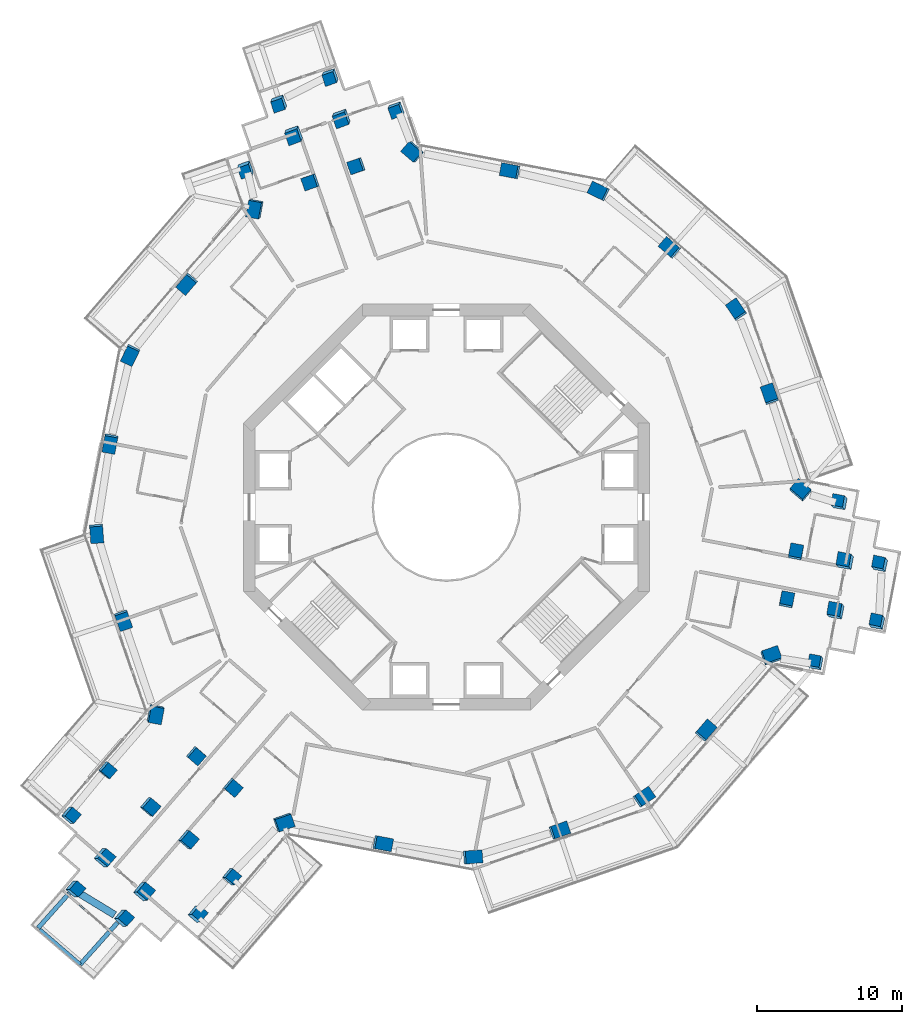
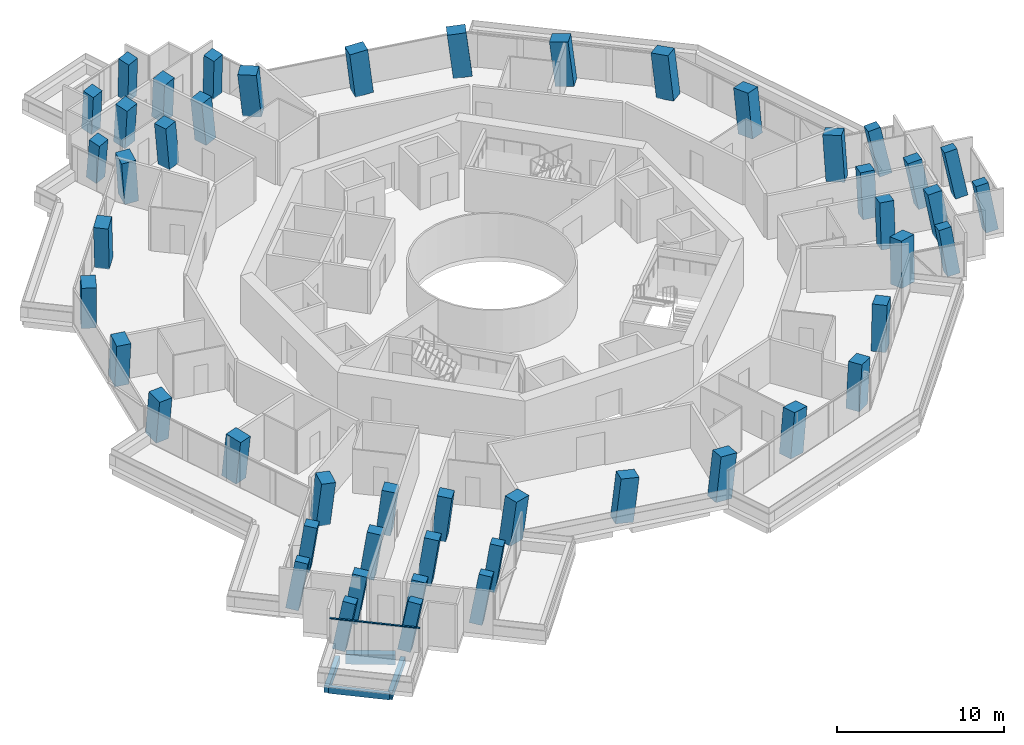
# One storey, part 1 of 23: 49 columns, 4 beams, 1 member, 1 element without a shape of its own.
"""IFC4 building model written with IfcOpenShell, lengths in metres."""

from ifc_helpers import new_model, si_unit, direction, frame, origin, origin_2d, place, context, subcontext, project, spatial, rectangle, extrude, material, layer, layer_set, material_profile, profile_set, type_object, element, aggregate, save


model = new_model("IFC4")

# Units and contexts
model_context = context("Model", 3, precision=1e-05, world=origin(), true_north=direction((0.0, 1.0)))
body_context = subcontext(model_context, "Body", "Model", "MODEL_VIEW")
ifc_project = project(units=[si_unit("LENGTHUNIT", "METRE"), si_unit("AREAUNIT", "SQUARE_METRE"), si_unit("VOLUMEUNIT", "CUBIC_METRE"), si_unit("PLANEANGLEUNIT", "RADIAN"), si_unit("MASSUNIT", "GRAM", prefix="KILO")], contexts=[model_context])

# Site, building, storey
site_placement = place(None, origin())
site = spatial("IfcSite", under=ifc_project, at=site_placement, CompositionType="ELEMENT")
building_placement = place(site_placement, origin())
building = spatial("IfcBuilding", under=site, at=building_placement, Name="Verdalira Terraces Hotel", CompositionType="ELEMENT")
storey_placement = place(building_placement, frame((0.0, 0.0, 111.5)))
storey = spatial("IfcBuildingStorey", under=building, at=storey_placement, Name="L26", CompositionType="ELEMENT", Elevation=111.5)

# Columns
ifc_material_1 = material(Name="Concrete C80", Category="concrete")
ifc_material_profile_1 = material_profile(ifc_material_1, rectangle(XDim=1.149902, YDim=0.899902, at=origin_2d()), Name="RC 1150X900")
ifc_profile_set_1 = profile_set([ifc_material_profile_1], Name="Concrete C80")
column_type_1 = type_object("IfcColumnType", Name="Column RC 1150X900 C80", PredefinedType="COLUMN", material=ifc_profile_set_1)
column_1_placement = place(storey_placement, frame((-13.186035, 20.593994, 0.0), z_axis=(-0.097375682, -0.063548845, 0.993216754), x_axis=(0.179806408, 0.98041432, 0.080358058)))
element("IfcColumn", 1, at=column_1_placement, inside=storey, type_object=column_type_1, Name="Column C03", PredefinedType="COLUMN", context=body_context, shape_type="SweptSolid", body=[
    extrude(rectangle(XDim=1.149902, YDim=0.899902, at=origin_2d()), origin(), (0.0, 0.0, 1.0), 3.21167),
])
column_2_placement = place(storey_placement, frame((-17.871338, 15.42627, 0.0), z_axis=(-0.072703894, -0.085632411, 0.993670586), x_axis=(-0.649524072, -0.751997746, -0.112329288)))
element("IfcColumn", 2, at=column_2_placement, inside=storey, type_object=column_type_1, Name="Column C04", PredefinedType="COLUMN", context=body_context, shape_type="SweptSolid", body=[
    extrude(rectangle(XDim=1.149902, YDim=0.899902, at=origin_2d()), origin(), (0.0, 0.0, 1.0), 3.210205),
])
column_3_placement = place(storey_placement, frame((-21.781006, 10.529297, 0.0), z_axis=(-0.049265254, -0.103928397, 0.993363893), x_axis=(0.433104905, 0.893975897, 0.115009722)))
element("IfcColumn", 3, at=column_3_placement, inside=storey, type_object=column_type_1, Name="Column C05", PredefinedType="COLUMN", context=body_context, shape_type="SweptSolid", body=[
    extrude(rectangle(XDim=1.149902, YDim=0.899902, at=origin_2d()), origin(), (0.0, 0.0, 1.0), 3.211182),
])
column_4_placement = place(storey_placement, frame((-23.190186, 4.423828, 0.0), z_axis=(-0.020077279, -0.110501083, 0.993673193), x_axis=(-0.185924691, -0.976124643, -0.112306232)))
element("IfcColumn", 4, at=column_4_placement, inside=storey, type_object=column_type_1, Name="Column C06", PredefinedType="COLUMN", context=body_context, shape_type="SweptSolid", body=[
    extrude(rectangle(XDim=1.149902, YDim=0.899902, at=origin_2d()), origin(), (0.0, 0.0, 1.0), 3.210205),
])
column_5_placement = place(storey_placement, frame((-24.127686, -1.771729, 0.0), z_axis=(0.009351259, -0.114647953, 0.99336217), x_axis=(-0.072347102, 0.990724603, 0.115024598)))
element("IfcColumn", 5, at=column_5_placement, inside=storey, type_object=column_type_1, Name="Column C07", PredefinedType="COLUMN", context=body_context, shape_type="SweptSolid", body=[
    extrude(rectangle(XDim=1.149902, YDim=0.899902, at=origin_2d()), origin(), (0.0, 0.0, 1.0), 3.211182),
])
column_6_placement = place(storey_placement, frame((-22.295166, -7.763916, 0.0), z_axis=(0.037872832, -0.105785359, 0.993667503), x_axis=(0.326980648, -0.938328119, -0.112356557)))
element("IfcColumn", 6, at=column_6_placement, inside=storey, type_object=column_type_1, Name="Column C08", PredefinedType="COLUMN", context=body_context, shape_type="SweptSolid", body=[
    extrude(rectangle(XDim=1.149902, YDim=0.899902, at=origin_2d()), origin(), (0.0, 0.0, 1.0), 3.210205),
])
column_7_placement = place(storey_placement, frame((-20.09082, -14.246094, 0.0), z_axis=(0.068559174, -0.094933934, 0.993119926), x_axis=(0.193242072, 0.977873048, 0.080136162)))
element("IfcColumn", 7, at=column_7_placement, inside=storey, type_object=column_type_1, Name="Column C09", PredefinedType="COLUMN", context=body_context, shape_type="SweptSolid", body=[
    extrude(rectangle(XDim=1.149902, YDim=0.899902, at=origin_2d()), origin(), (0.0, 0.0, 1.0), 3.212158),
])
column_8_placement = place(storey_placement, frame((-11.241699, -21.716553, 0.0), z_axis=(0.103685106, -0.052602708, 0.99321818), x_axis=(-0.939138052, -0.334011459, 0.080349638)))
element("IfcColumn", 8, at=column_8_placement, inside=storey, type_object=column_type_1, Name="Column C16", PredefinedType="COLUMN", context=body_context, shape_type="SweptSolid", body=[
    extrude(rectangle(XDim=1.149902, YDim=0.899902, at=origin_2d()), origin(), (0.0, 0.0, 1.0), 3.21167),
])
column_9_placement = place(storey_placement, frame((-4.423828, -23.190186, 0.0), z_axis=(0.110501083, -0.020077279, 0.993673193), x_axis=(0.976124643, -0.185924691, -0.112306232)))
element("IfcColumn", 9, at=column_9_placement, inside=storey, type_object=column_type_1, Name="Column C17", PredefinedType="COLUMN", context=body_context, shape_type="SweptSolid", body=[
    extrude(rectangle(XDim=1.149902, YDim=0.899902, at=origin_2d()), origin(), (0.0, 0.0, 1.0), 3.210205),
])
column_10_placement = place(storey_placement, frame((1.771729, -24.127686, 0.0), z_axis=(0.114647953, 0.009351259, 0.99336217), x_axis=(-0.990724603, -0.072347102, 0.115024598)))
element("IfcColumn", 10, at=column_10_placement, inside=storey, type_object=column_type_1, Name="Column C18", PredefinedType="COLUMN", context=body_context, shape_type="SweptSolid", body=[
    extrude(rectangle(XDim=1.149902, YDim=0.899902, at=origin_2d()), origin(), (0.0, 0.0, 1.0), 3.211182),
])
column_11_placement = place(storey_placement, frame((7.763916, -22.295166, 0.0), z_axis=(0.105785359, 0.037872832, 0.993667503), x_axis=(0.938328119, 0.326980648, -0.112356557)))
element("IfcColumn", 11, at=column_11_placement, inside=storey, type_object=column_type_1, Name="Column C19", PredefinedType="COLUMN", context=body_context, shape_type="SweptSolid", body=[
    extrude(rectangle(XDim=1.149902, YDim=0.899902, at=origin_2d()), origin(), (0.0, 0.0, 1.0), 3.210205),
])
column_12_placement = place(storey_placement, frame((13.598389, -20.009277, 0.0), z_axis=(0.09457705, 0.065458875, 0.993363135), x_axis=(-0.821576739, -0.558375251, 0.115016268)))
element("IfcColumn", 12, at=column_12_placement, inside=storey, type_object=column_type_1, Name="Column C20", PredefinedType="COLUMN", context=body_context, shape_type="SweptSolid", body=[
    extrude(rectangle(XDim=1.149902, YDim=0.899902, at=origin_2d()), origin(), (0.0, 0.0, 1.0), 3.211182),
])
column_13_placement = place(storey_placement, frame((17.871338, -15.42627, 0.0), z_axis=(0.072703894, 0.085632411, 0.993670586), x_axis=(0.649524072, 0.751997746, -0.112329288)))
element("IfcColumn", 13, at=column_13_placement, inside=storey, type_object=column_type_1, Name="Column C21", PredefinedType="COLUMN", context=body_context, shape_type="SweptSolid", body=[
    extrude(rectangle(XDim=1.149902, YDim=0.899902, at=origin_2d()), origin(), (0.0, 0.0, 1.0), 3.210205),
])
column_14_placement = place(storey_placement, frame((22.382812, -10.276123, 0.0), z_axis=(0.047961216, 0.106791613, 0.993123997), x_axis=(-0.943604667, -0.32123545, 0.080112533)))
element("IfcColumn", 14, at=column_14_placement, inside=storey, type_object=column_type_1, Name="Column C22", PredefinedType="COLUMN", context=body_context, shape_type="SweptSolid", body=[
    extrude(rectangle(XDim=1.149902, YDim=0.899902, at=origin_2d()), origin(), (0.0, 0.0, 1.0), 3.211914),
])
column_15_placement = place(storey_placement, frame((24.427979, 1.122559, 0.0), z_axis=(-0.006309298, 0.116075877, 0.99322031), x_axis=(0.758959618, -0.646162715, 0.080337067)))
element("IfcColumn", 15, at=column_15_placement, inside=storey, type_object=column_type_1, Name="Column C27", PredefinedType="COLUMN", context=body_context, shape_type="SweptSolid", body=[
    extrude(rectangle(XDim=1.149902, YDim=0.899902, at=origin_2d()), origin(), (0.0, 0.0, 1.0), 3.21167),
])
column_16_placement = place(storey_placement, frame((22.295166, 7.763916, 0.0), z_axis=(-0.037872832, 0.105785359, 0.993667503), x_axis=(-0.326980648, 0.938328119, -0.112356557)))
element("IfcColumn", 16, at=column_16_placement, inside=storey, type_object=column_type_1, Name="Column C28", PredefinedType="COLUMN", context=body_context, shape_type="SweptSolid", body=[
    extrude(rectangle(XDim=1.149902, YDim=0.899902, at=origin_2d()), origin(), (0.0, 0.0, 1.0), 3.210205),
])
column_17_placement = place(storey_placement, frame((20.009277, 13.598389, 0.0), z_axis=(-0.065458875, 0.09457705, 0.993363135), x_axis=(0.558375251, -0.821576739, 0.115016268)))
element("IfcColumn", 17, at=column_17_placement, inside=storey, type_object=column_type_1, Name="Column C29", PredefinedType="COLUMN", context=body_context, shape_type="SweptSolid", body=[
    extrude(rectangle(XDim=1.149902, YDim=0.899902, at=origin_2d()), origin(), (0.0, 0.0, 1.0), 3.211182),
])
column_18_placement = place(storey_placement, frame((15.42627, 17.871338, 0.0), z_axis=(-0.085632411, 0.072703894, 0.993670586), x_axis=(-0.751997746, 0.649524072, -0.112329288)))
element("IfcColumn", 18, at=column_18_placement, inside=storey, type_object=column_type_1, Name="Column C30", PredefinedType="COLUMN", context=body_context, shape_type="SweptSolid", body=[
    extrude(rectangle(XDim=1.149902, YDim=0.899902, at=origin_2d()), origin(), (0.0, 0.0, 1.0), 3.210205),
])
column_19_placement = place(storey_placement, frame((10.529297, 21.781006, 0.0), z_axis=(-0.103928397, 0.049265254, 0.993363893), x_axis=(0.893975897, -0.433104905, 0.115009722)))
element("IfcColumn", 19, at=column_19_placement, inside=storey, type_object=column_type_1, Name="Column C31", PredefinedType="COLUMN", context=body_context, shape_type="SweptSolid", body=[
    extrude(rectangle(XDim=1.149902, YDim=0.899902, at=origin_2d()), origin(), (0.0, 0.0, 1.0), 3.211182),
])
column_20_placement = place(storey_placement, frame((4.423828, 23.190186, 0.0), z_axis=(-0.110501083, 0.020077279, 0.993673193), x_axis=(-0.976124643, 0.185924691, -0.112306232)))
element("IfcColumn", 20, at=column_20_placement, inside=storey, type_object=column_type_1, Name="Column C32", PredefinedType="COLUMN", context=body_context, shape_type="SweptSolid", body=[
    extrude(rectangle(XDim=1.149902, YDim=0.899902, at=origin_2d()), origin(), (0.0, 0.0, 1.0), 3.210205),
])
column_21_placement = place(storey_placement, frame((-2.291992, 24.522217, 0.0), z_axis=(-0.116519812, -0.01193321, 0.993116676), x_axis=(0.750371365, -0.656138694, 0.080155023)))
element("IfcColumn", 21, at=column_21_placement, inside=storey, type_object=column_type_1, Name="Column C33", PredefinedType="COLUMN", context=body_context, shape_type="SweptSolid", body=[
    extrude(rectangle(XDim=1.149902, YDim=0.899902, at=origin_2d()), origin(), (0.0, 0.0, 1.0), 3.212158),
])
ifc_material_2 = material(Name="Concrete C80", Category="concrete")
ifc_material_profile_2 = material_profile(ifc_material_2, rectangle(XDim=0.800049, YDim=0.800049, at=origin_2d()), Name="RC 800X800")
ifc_profile_set_2 = profile_set([ifc_material_profile_2], Name="Concrete C80")
column_type_2 = type_object("IfcColumnType", Name="Column RC 800X800 C80", PredefinedType="COLUMN", material=ifc_profile_set_2)
column_22_placement = place(storey_placement, frame((-3.431641, 27.460205, 0.0), z_axis=(-0.075511583, -0.16329474, 0.983683297), x_axis=(-0.341654715, 0.931023333, 0.128326185)))
element("IfcColumn", 22, at=column_22_placement, inside=storey, type_object=column_type_2, Name="Column C01", PredefinedType="COLUMN", context=body_context, shape_type="SweptSolid", body=[
    extrude(rectangle(XDim=0.800049, YDim=0.800049, at=origin_2d()), origin(), (0.0, 0.0, 1.0), 3.24292),
])
column_23_placement = place(storey_placement, frame((-13.832764, 23.393311, 0.0), z_axis=(-0.055576676, -0.210429429, 0.976028016), x_axis=(0.344400072, -0.921584845, -0.179080886)))
element("IfcColumn", 23, at=column_23_placement, inside=storey, type_object=column_type_2, Name="Column C02", PredefinedType="COLUMN", context=body_context, shape_type="SweptSolid", body=[
    extrude(rectangle(XDim=0.800049, YDim=0.800049, at=origin_2d()), origin(), (0.0, 0.0, 1.0), 3.268311),
])
column_24_placement = place(storey_placement, frame((-23.425049, -18.108887, 0.0), z_axis=(0.136821775, -0.050125077, 0.989326679), x_axis=(-0.647146917, -0.760660235, 0.050959544)))
element("IfcColumn", 24, at=column_24_placement, inside=storey, type_object=column_type_2, Name="Column C10", PredefinedType="COLUMN", context=body_context, shape_type="SweptSolid", body=[
    extrude(rectangle(XDim=0.800049, YDim=0.800049, at=origin_2d()), origin(), (0.0, 0.0, 1.0), 3.224365),
])
column_25_placement = place(storey_placement, frame((-25.98584, -21.243896, 0.0), z_axis=(0.199921403, -0.00202471, 0.979809845), x_axis=(-0.632821531, -0.763720889, 0.127543375)))
element("IfcColumn", 25, at=column_25_placement, inside=storey, type_object=column_type_2, Name="Column C11", PredefinedType="COLUMN", context=body_context, shape_type="SweptSolid", body=[
    extrude(rectangle(XDim=0.800049, YDim=0.800049, at=origin_2d()), origin(), (0.0, 0.0, 1.0), 3.255615),
])
column_26_placement = place(storey_placement, frame((-25.697754, -26.327637, 0.0), z_axis=(0.222717395, -0.000522285, 0.97488291), x_axis=(0.729780822, -0.662951744, -0.167077638)))
element("IfcColumn", 26, at=column_26_placement, inside=storey, type_object=column_type_2, Name="Column C12", PredefinedType="COLUMN", context=body_context, shape_type="SweptSolid", body=[
    extrude(rectangle(XDim=0.800049, YDim=0.800049, at=origin_2d()), origin(), (0.0, 0.0, 1.0), 3.272217),
])
column_27_placement = place(storey_placement, frame((-22.358398, -28.351318, 0.0), z_axis=(0.231385799, 0.015187485, 0.972743518), x_axis=(0.728932644, -0.664894768, -0.163009653)))
element("IfcColumn", 27, at=column_27_placement, inside=storey, type_object=column_type_2, Name="Column C13", PredefinedType="COLUMN", context=body_context, shape_type="SweptSolid", body=[
    extrude(rectangle(XDim=0.800049, YDim=0.800049, at=origin_2d()), origin(), (0.0, 0.0, 1.0), 3.279297),
])
column_28_placement = place(storey_placement, frame((-17.273682, -28.077148, 0.0), z_axis=(0.22989988, 0.038775603, 0.972441514), x_axis=(0.622286959, 0.762395071, -0.177518158)))
element("IfcColumn", 28, at=column_28_placement, inside=storey, type_object=column_type_2, Name="Column C14", PredefinedType="COLUMN", context=body_context, shape_type="SweptSolid", body=[
    extrude(rectangle(XDim=0.800049, YDim=0.800049, at=origin_2d()), origin(), (0.0, 0.0, 1.0), 3.280273),
])
column_29_placement = place(storey_placement, frame((-14.88623, -25.479492, 0.0), z_axis=(0.170722643, -0.009350533, 0.985274757), x_axis=(0.638981154, 0.762229566, -0.103485142)))
element("IfcColumn", 29, at=column_29_placement, inside=storey, type_object=column_type_2, Name="Column C15", PredefinedType="COLUMN", context=body_context, shape_type="SweptSolid", body=[
    extrude(rectangle(XDim=0.800049, YDim=0.800049, at=origin_2d()), origin(), (0.0, 0.0, 1.0), 3.237549),
])
column_30_placement = place(storey_placement, frame((25.49707, -10.758301, 0.0), z_axis=(-0.103667365, 0.147106777, 0.983673052), x_axis=(0.977082423, -0.1698001, 0.128366133)))
element("IfcColumn", 30, at=column_30_placement, inside=storey, type_object=column_type_2, Name="Column C23", PredefinedType="COLUMN", context=body_context, shape_type="SweptSolid", body=[
    extrude(rectangle(XDim=0.800049, YDim=0.800049, at=origin_2d()), origin(), (0.0, 0.0, 1.0), 3.24292),
])
column_31_placement = place(storey_placement, frame((29.755615, -7.966797, 0.0), z_axis=(-0.116457849, 0.166293415, 0.979175198), x_axis=(0.205922806, 0.968503327, -0.139989656)))
element("IfcColumn", 31, at=column_31_placement, inside=storey, type_object=column_type_2, Name="Column C24", PredefinedType="COLUMN", context=body_context, shape_type="SweptSolid", body=[
    extrude(rectangle(XDim=0.800049, YDim=0.800049, at=origin_2d()), origin(), (0.0, 0.0, 1.0), 3.257812),
])
column_32_placement = place(storey_placement, frame((29.955322, -3.983643, 0.0), z_axis=(-0.134711888, 0.166633074, 0.976773324), x_axis=(0.208280483, 0.968497811, -0.136496264)))
element("IfcColumn", 32, at=column_32_placement, inside=storey, type_object=column_type_2, Name="Column C25", PredefinedType="COLUMN", context=body_context, shape_type="SweptSolid", body=[
    extrude(rectangle(XDim=0.800049, YDim=0.800049, at=origin_2d()), origin(), (0.0, 0.0, 1.0), 3.265869),
])
column_33_placement = place(storey_placement, frame((27.175537, 0.282715, 0.0), z_axis=(-0.154478217, 0.153357727, 0.976021459), x_axis=(-0.970321056, 0.162475904, -0.17910508)))
element("IfcColumn", 33, at=column_33_placement, inside=storey, type_object=column_type_2, Name="Column C26", PredefinedType="COLUMN", context=body_context, shape_type="SweptSolid", body=[
    extrude(rectangle(XDim=0.800049, YDim=0.800049, at=origin_2d()), origin(), (0.0, 0.0, 1.0), 3.268311),
])
column_34_placement = place(storey_placement, frame((-7.978516, 29.752441, 0.0), z_axis=(-0.085732912, -0.183981031, 0.979183766), x_axis=(-0.94165413, -0.306101902, -0.139961158)))
element("IfcColumn", 34, at=column_34_placement, inside=storey, type_object=column_type_2, Name="Column C34", PredefinedType="COLUMN", context=body_context, shape_type="SweptSolid", body=[
    extrude(rectangle(XDim=0.800049, YDim=0.800049, at=origin_2d()), origin(), (0.0, 0.0, 1.0), 3.257812),
])
column_35_placement = place(storey_placement, frame((-11.527832, 27.934082, 0.0), z_axis=(-0.076923927, -0.200047064, 0.976761937), x_axis=(-0.942809555, -0.304088616, -0.136529326)))
element("IfcColumn", 35, at=column_35_placement, inside=storey, type_object=column_type_2, Name="Column C35", PredefinedType="COLUMN", context=body_context, shape_type="SweptSolid", body=[
    extrude(rectangle(XDim=0.800049, YDim=0.800049, at=origin_2d()), origin(), (0.0, 0.0, 1.0), 3.265869),
])
ifc_material_3 = material(Name="Concrete C80", Category="concrete")
ifc_material_profile_3 = material_profile(ifc_material_3, rectangle(XDim=0.899902, YDim=0.899902, at=origin_2d()), Name="RC 900X900")
ifc_profile_set_3 = profile_set([ifc_material_profile_3], Name="Concrete C80")
column_type_3 = type_object("IfcColumnType", Name="Column RC 900X900 C80", PredefinedType="COLUMN", material=ifc_profile_set_3)
for number, where, z_axis, x_axis, name in (
    (36, (-6.17749, 23.535889, 0.0), (-0.111599077, -0.030256426, 0.993292603), (-0.327689887, 0.944751138, -0.008039017), "Column C36"),
    (37, (-9.347168, 22.432129, 0.0), (-0.106278765, -0.045309116, 0.993303533), (-0.329531478, 0.944112311, 0.007806975), "Column C37"),
):
    element("IfcColumn", number, at=place(storey_placement, frame(where, z_axis=z_axis, x_axis=x_axis)), inside=storey, type_object=column_type_3, Name=name, PredefinedType="COLUMN", context=body_context, shape_type="SweptSolid", body=[
        extrude(rectangle(XDim=0.899902, YDim=0.899902, at=origin_2d()), origin(), (0.0, 0.0, 1.0), 3.211426),
    ])
column_36_placement = place(storey_placement, frame((-7.21582, 26.894287, 0.0), z_axis=(-0.072518446, -0.180620477, 0.980875791), x_axis=(-0.343313691, 0.927885269, 0.145480708)))
element("IfcColumn", 38, at=column_36_placement, inside=storey, type_object=column_type_3, Name="Column C38", PredefinedType="COLUMN", context=body_context, shape_type="SweptSolid", body=[
    extrude(rectangle(XDim=0.899902, YDim=0.899902, at=origin_2d()), origin(), (0.0, 0.0, 1.0), 3.252197),
])
column_37_placement = place(storey_placement, frame((-10.502441, 25.749756, 0.0), z_axis=(-0.06687026, -0.195518756, 0.97841749), x_axis=(-0.34431051, 0.924897425, 0.161291741)))
element("IfcColumn", 39, at=column_37_placement, inside=storey, type_object=column_type_3, Name="Column C39", PredefinedType="COLUMN", context=body_context, shape_type="SweptSolid", body=[
    extrude(rectangle(XDim=0.899902, YDim=0.899902, at=origin_2d()), origin(), (0.0, 0.0, 1.0), 3.260254),
])
for number, where, z_axis, x_axis, name in (
    (40, (-17.294189, -17.117676, 0.0), (0.082101843, -0.081569701, 0.993280258), (-0.654108896, -0.756357593, -0.008046387), "Column C40"),
    (41, (-14.753174, -19.310791, 0.0), (0.092366691, -0.069408057, 0.993303033), (-0.65302285, -0.757297963, 0.007807265), "Column C41"),
):
    element("IfcColumn", number, at=place(storey_placement, frame(where, z_axis=z_axis, x_axis=x_axis)), inside=storey, type_object=column_type_3, Name=name, PredefinedType="COLUMN", context=body_context, shape_type="SweptSolid", body=[
        extrude(rectangle(XDim=0.899902, YDim=0.899902, at=origin_2d()), origin(), (0.0, 0.0, 1.0), 3.211426),
    ])
column_38_placement = place(storey_placement, frame((-20.486816, -20.64502, 0.0), z_axis=(0.148546747, -0.036153434, 0.988244298), x_axis=(-0.644951944, -0.761092596, 0.069101742)))
element("IfcColumn", 42, at=column_38_placement, inside=storey, type_object=column_type_3, Name="Column C42", PredefinedType="COLUMN", context=body_context, shape_type="SweptSolid", body=[
    extrude(rectangle(XDim=0.899902, YDim=0.899902, at=origin_2d()), origin(), (0.0, 0.0, 1.0), 3.227783),
])
column_39_placement = place(storey_placement, frame((-17.861084, -22.911621, 0.0), z_axis=(0.158936736, -0.023493025, 0.987009216), x_axis=(-0.641898342, -0.762038769, 0.085225781)))
element("IfcColumn", 43, at=column_39_placement, inside=storey, type_object=column_type_3, Name="Column C43", PredefinedType="COLUMN", context=body_context, shape_type="SweptSolid", body=[
    extrude(rectangle(XDim=0.899902, YDim=0.899902, at=origin_2d()), origin(), (0.0, 0.0, 1.0), 3.231934),
])
column_40_placement = place(storey_placement, frame((-23.679688, -24.172363, 0.0), z_axis=(0.21296151, 0.008823546, 0.977020747), x_axis=(-0.629207043, -0.763773007, 0.144046141)))
element("IfcColumn", 44, at=column_40_placement, inside=storey, type_object=column_type_3, Name="Column C44", PredefinedType="COLUMN", context=body_context, shape_type="SweptSolid", body=[
    extrude(rectangle(XDim=0.899902, YDim=0.899902, at=origin_2d()), origin(), (0.0, 0.0, 1.0), 3.264893),
])
column_41_placement = place(storey_placement, frame((-20.969238, -26.512207, 0.0), z_axis=(0.223303232, 0.021629238, 0.974509027), x_axis=(-0.625307013, -0.763750768, 0.160237021)))
element("IfcColumn", 45, at=column_41_placement, inside=storey, type_object=column_type_3, Name="Column C45", PredefinedType="COLUMN", context=body_context, shape_type="SweptSolid", body=[
    extrude(rectangle(XDim=0.899902, YDim=0.899902, at=origin_2d()), origin(), (0.0, 0.0, 1.0), 3.273438),
])
for number, where, z_axis, x_axis, name in (
    (46, (23.471436, -6.418213, 0.0), (0.029572087, 0.11182658, 0.993287626), (0.982083263, -0.188275838, -0.008041989), "Column C46"),
    (47, (24.100342, -3.121094, 0.0), (0.013911989, 0.114716892, 0.993300806), (0.982376958, -0.186747257, 0.007808559), "Column C47"),
):
    element("IfcColumn", number, at=place(storey_placement, frame(where, z_axis=z_axis, x_axis=x_axis)), inside=storey, type_object=column_type_3, Name=name, PredefinedType="COLUMN", context=body_context, shape_type="SweptSolid", body=[
        extrude(rectangle(XDim=0.899902, YDim=0.899902, at=origin_2d()), origin(), (0.0, 0.0, 1.0), 3.211426),
    ])
column_42_placement = place(storey_placement, frame((26.898926, -7.197998, 0.0), z_axis=(-0.120114881, 0.153071402, 0.980888149), x_axis=(0.97522457, -0.166691172, 0.14543415)))
element("IfcColumn", 48, at=column_42_placement, inside=storey, type_object=column_type_3, Name="Column C48", PredefinedType="COLUMN", context=body_context, shape_type="SweptSolid", body=[
    extrude(rectangle(XDim=0.899902, YDim=0.899902, at=origin_2d()), origin(), (0.0, 0.0, 1.0), 3.252197),
])
column_43_placement = place(storey_placement, frame((27.551025, -3.779541, 0.0), z_axis=(-0.135839555, 0.155608929, 0.978434196), x_axis=(0.973151143, -0.164261211, 0.161229984)))
element("IfcColumn", 49, at=column_43_placement, inside=storey, type_object=column_type_3, Name="Column C49", PredefinedType="COLUMN", context=body_context, shape_type="SweptSolid", body=[
    extrude(rectangle(XDim=0.899902, YDim=0.899902, at=origin_2d()), origin(), (0.0, 0.0, 1.0), 3.260254),
])

# Beams
ifc_material_4 = material(Name="Concrete C40", Category="concrete")
ifc_material_profile_4 = material_profile(ifc_material_4, rectangle(XDim=0.300049, YDim=0.5, at=origin_2d()), Name="RC 300X500")
ifc_profile_set_4 = profile_set([ifc_material_profile_4], Name="Concrete C40")
beam_type_1 = type_object("IfcBeamType", Name="Balcony cantilever beam RC 300X500 C40", PredefinedType="BEAM", material=ifc_profile_set_4)
beam_1_placement = place(storey_placement, frame((-26.02002, -26.625, -0.560059), z_axis=(-0.666030861, -0.745924187, 0.0), x_axis=(0.745924187, -0.666030861, 0.0)))
element("IfcBeam", 50, at=beam_1_placement, inside=storey, type_object=beam_type_1, Name="Balcony cantilever beam R19-1", PredefinedType="BEAM", context=body_context, shape_type="SweptSolid", body=[
    extrude(rectangle(XDim=0.300049, YDim=0.5, at=origin_2d()), origin(), (0.0, 0.0, 1.0), 3.214844),
])
beam_2_placement = place(storey_placement, frame((-22.683105, -28.652344, -0.560059), z_axis=(-0.66604216, -0.745914098, 0.0), x_axis=(0.745914098, -0.66604216, 0.0)))
element("IfcBeam", 51, at=beam_2_placement, inside=storey, type_object=beam_type_1, Name="Balcony cantilever beam R19-2", PredefinedType="BEAM", context=body_context, shape_type="SweptSolid", body=[
    extrude(rectangle(XDim=0.300049, YDim=0.5, at=origin_2d()), origin(), (0.0, 0.0, 1.0), 3.860596),
])
ifc_material_5 = material(Name="Concrete C40", Category="concrete")
ifc_material_profile_5 = material_profile(ifc_material_5, rectangle(XDim=0.25, YDim=0.449951, at=origin_2d()), Name="RC 250X450")
ifc_profile_set_5 = profile_set([ifc_material_profile_5], Name="Concrete C40")
beam_type_2 = type_object("IfcBeamType", Name="Balcony edge beam RC 250X450 C40", PredefinedType="BEAM", material=ifc_profile_set_5)
beam_3_placement = place(storey_placement, frame((-28.047607, -29.121094, -0.534912), z_axis=(0.757014898, -0.653397616, 0.0), x_axis=(0.653397616, 0.757014898, 0.0)))
element("IfcBeam", 52, at=beam_3_placement, inside=storey, type_object=beam_type_2, Name="Balcony edge beam R19-1", PredefinedType="BEAM", context=body_context, shape_type="SweptSolid", body=[
    extrude(rectangle(XDim=0.25, YDim=0.449951, at=origin_2d()), origin(), (0.0, 0.0, 1.0), 3.689697),
])

# Curtain wall, member
ifc_material_6 = material(Name="Clear glass", Category="glass")
ifc_layer = layer(ifc_material_6, 0.14990234375)
ifc_layer_set = layer_set([ifc_layer], Name="CW3 curtain wall")
curtain_wall_type = type_object("IfcCurtainWallType", Name="CW3 curtain wall", PredefinedType="NOTDEFINED", material=ifc_layer_set)
curtain_wall_placement = place(storey_placement, origin())
curtain_wall = element("IfcCurtainWall", 53, at=curtain_wall_placement, inside=storey, type_object=curtain_wall_type, Name="CW3 curtain wall L26 edge 19", PredefinedType="NOTDEFINED")
ifc_material_7 = material(Name="Terracotta frame", Category="masonry")
ifc_material_profile_6 = material_profile(ifc_material_7, rectangle(XDim=0.120117, YDim=0.064941, at=origin_2d()), Name="TR 65x120")
ifc_profile_set_6 = profile_set([ifc_material_profile_6], Name="Terracotta frame")
member_type = type_object("IfcMemberType", Name="CW3 transom 65x120", PredefinedType="USERDEFINED", material=ifc_profile_set_6)
member_placement = place(storey_placement, frame((-26.451904, -26.436279, 2.45752), z_axis=(0.757008623, -0.653404886, 0.0), x_axis=(0.653404886, 0.757008623, 0.0)))
member = element("IfcMember", 54, at=member_placement, type_object=member_type, Name="CW3 transom", ObjectType="TRANSOM", PredefinedType="USERDEFINED", context=body_context, shape_type="SweptSolid", body=[
    extrude(rectangle(XDim=0.120117, YDim=0.064941, at=origin_2d()), origin(), (0.0, 0.0, 1.0), 5.5),
])
aggregate(curtain_wall, [member])

# Beam
ifc_material_8 = material(Name="Concrete C70", Category="concrete")
ifc_material_profile_7 = material_profile(ifc_material_8, rectangle(XDim=0.5, YDim=0.699951, at=origin_2d()), Name="RC 500X700")
ifc_profile_set_7 = profile_set([ifc_material_profile_7], Name="Concrete C70")
beam_type_3 = type_object("IfcBeamType", Name="Spandrel beam RC 500X700 C70", PredefinedType="SPANDREL", material=ifc_profile_set_7)
beam_4_placement = place(storey_placement, frame((-25.419189, -26.567871, -0.659912), z_axis=(0.853936805, -0.520376722, 0.0), x_axis=(0.520376722, 0.853936805, 0.0)))
element("IfcBeam", 55, at=beam_4_placement, inside=storey, type_object=beam_type_3, Name="Spandrel beam B12", PredefinedType="SPANDREL", context=body_context, shape_type="SweptSolid", body=[
    extrude(rectangle(XDim=0.5, YDim=0.699951, at=origin_2d()), origin(), (0.0, 0.0, 1.0), 2.973145),
])

save(model, "model.ifc")
